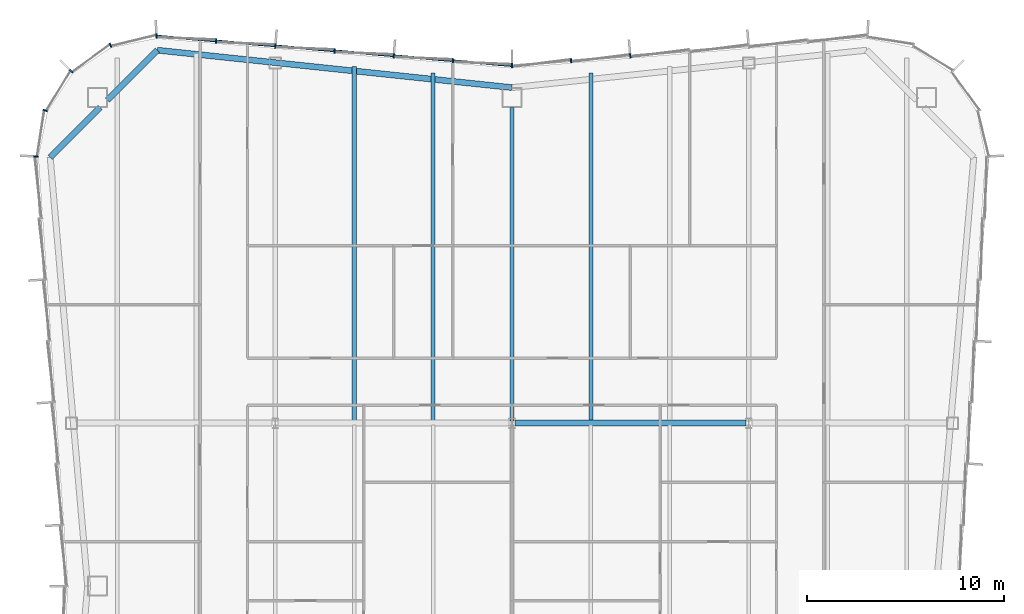
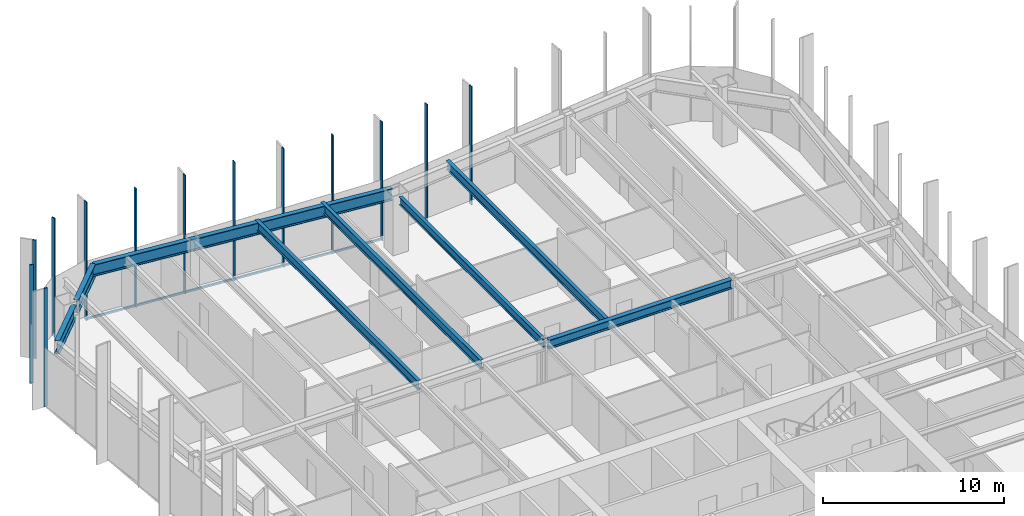
# One storey, part 7 of 15: 14 members, 8 beams, 3 elements without a shape of their own.
"""IFC4 building model written with IfcOpenShell, lengths in metres."""

import ifcopenshell
import ifcopenshell.guid

model = None  # the IFC model being written
_history = None  # IfcOwnerHistory: only IFC2X3 demands one
_inside = {}  # id of a spatial element -> (the spatial element, [elements in it])
_under = {}  # id of a project, library or spatial element -> (it, [spatial elements below it])
_declared = {}  # id of a project -> (the project, [libraries it declares])
_typed = {}  # id of a type object -> (the type object, [elements of that type])
_made_of = {}  # id of a material, layer set ... -> (it, [elements and type objects made of it])


def new_model(schema):
    """Start an empty IFC model of exactly this schema.

    Asked for "IFC4X3", IfcOpenShell would pick the latest addendum, in which some entities
    have other attributes; the version numbers below select the first issue.
    IFC2X3 requires an IfcOwnerHistory on every rooted entity: one is made here for all.
    """
    global model, _history
    if schema == "IFC4X3":
        model = ifcopenshell.file(schema_version=(4, 3, 0, 0))
    else:
        model = ifcopenshell.file(schema=schema)
    _inside.clear()
    _under.clear()
    _declared.clear()
    _typed.clear()
    _made_of.clear()
    _history = None
    if model.schema == "IFC2X3":
        org = make("IfcOrganization", Name="unknown")
        user = make(
            "IfcPersonAndOrganization",
            ThePerson=make("IfcPerson", FamilyName="unknown"),
            TheOrganization=org,
        )
        app = make(
            "IfcApplication",
            ApplicationDeveloper=org,
            Version="unknown",
            ApplicationFullName="unknown",
            ApplicationIdentifier="unknown",
        )
        _history = make(
            "IfcOwnerHistory",
            OwningUser=user,
            OwningApplication=app,
            ChangeAction="ADDED",
            CreationDate=0,
        )
    return model


def make(cls, **values):
    """One entity of the class cls with the attributes given. An attribute that is None is left unset."""
    return model.create_entity(
        cls, **{name: value for name, value in values.items() if value is not None}
    )


def rooted(cls, **values):
    """An entity with a GlobalId (a new one), such as an element, a storey or a relation."""
    return make(cls, GlobalId=ifcopenshell.guid.new(), OwnerHistory=_history, **values)


def si_unit(unit_type, name, prefix=None):
    """IfcSIUnit, for example si_unit("LENGTHUNIT", "METRE", prefix="MILLI")."""
    return make("IfcSIUnit", UnitType=unit_type, Prefix=prefix, Name=name)


def assignment(units):
    """IfcUnitAssignment: the units of a project."""
    return None if units is None else make("IfcUnitAssignment", Units=units)


def point(xyz):
    """IfcCartesianPoint."""
    return None if xyz is None else make("IfcCartesianPoint", Coordinates=xyz)


def direction(xyz):
    """IfcDirection."""
    return None if xyz is None else make("IfcDirection", DirectionRatios=xyz)


def frame(location, z_axis=None, x_axis=None):
    """IfcAxis2Placement3D, a coordinate frame: its origin and axes. An axis left out is left unset."""
    return make(
        "IfcAxis2Placement3D",
        Location=point(location),
        Axis=direction(z_axis),
        RefDirection=direction(x_axis),
    )


def frame_2d(location, x_axis=None):
    """IfcAxis2Placement2D, a coordinate frame in the plane: its origin and x axis."""
    return make(
        "IfcAxis2Placement2D", Location=point(location), RefDirection=direction(x_axis)
    )


def origin():
    """The frame at (0, 0, 0) with its axes left unset."""
    return frame((0.0, 0.0, 0.0))


def origin_2d():
    """The frame at (0, 0) in the plane with its x axis left unset."""
    return frame_2d((0.0, 0.0))


def place(relative_to, where):
    """IfcLocalPlacement: puts the frame where relative to a parent placement (None: the world)."""
    return make(
        "IfcLocalPlacement", PlacementRelTo=relative_to, RelativePlacement=where
    )


def context(
    kind, dimensions, precision=None, world=None, true_north=None, identifier=None
):
    """IfcGeometricRepresentationContext, for example the 3D "Model" context."""
    return make(
        "IfcGeometricRepresentationContext",
        ContextIdentifier=identifier,
        ContextType=kind,
        CoordinateSpaceDimension=dimensions,
        Precision=precision,
        WorldCoordinateSystem=world,
        TrueNorth=true_north,
    )


def subcontext(parent, identifier, kind, view, scale=None):
    """IfcGeometricRepresentationSubContext, for example "Body" below "Model"."""
    return make(
        "IfcGeometricRepresentationSubContext",
        ContextIdentifier=identifier,
        ContextType=kind,
        ParentContext=parent,
        TargetScale=scale,
        TargetView=view,
    )


def project(units=None, contexts=None):
    """IfcProject with its units and contexts."""
    return rooted(
        "IfcProject",
        Name="project",
        RepresentationContexts=contexts,
        UnitsInContext=assignment(units),
    )


def spatial(cls, under=None, at=None, **own):
    """A site, building, storey or space (cls), placed at a placement, below another one or the project."""
    s = rooted(cls, ObjectPlacement=at, **own)
    if under is not None:
        _under.setdefault(under.id(), (under, []))[1].append(s)
    return s


def profile(cls, at=None, kind="AREA", **sizes):
    """A parametric profile (cls). Its sizes go by their IFC names, for example OverallWidth=200.0."""
    return make(cls, ProfileType=kind, Position=at, **sizes)


def rectangle(**sizes):
    """IfcRectangleProfileDef."""
    return profile("IfcRectangleProfileDef", **sizes)


def i_section(**sizes):
    """IfcIShapeProfileDef."""
    return profile("IfcIShapeProfileDef", **sizes)


def extrude(swept, where, along, depth):
    """IfcExtrudedAreaSolid: the profile swept, set in the frame where, extruded along a direction by depth."""
    return make(
        "IfcExtrudedAreaSolid",
        SweptArea=swept,
        Position=where,
        ExtrudedDirection=direction(along),
        Depth=depth,
    )


def shape(context_of_items, identifier, shape_type, items):
    """IfcShapeRepresentation: the items that make up one representation, for example the "Body"."""
    return make(
        "IfcShapeRepresentation",
        ContextOfItems=context_of_items,
        RepresentationIdentifier=identifier,
        RepresentationType=shape_type,
        Items=items,
    )


def material(Name=None, Category=None):
    """IfcMaterial."""
    return make("IfcMaterial", Name=Name, Category=Category)


def material_profile(
    of_material, cross_section, Name=None, Category=None, Priority=None
):
    """IfcMaterialProfile: a cross section and its material."""
    return make(
        "IfcMaterialProfile",
        Name=Name,
        Material=of_material,
        Profile=cross_section,
        Priority=Priority,
        Category=Category,
    )


def profile_set(profiles, Name=None, composite=None):
    """IfcMaterialProfileSet."""
    return make(
        "IfcMaterialProfileSet",
        Name=Name,
        MaterialProfiles=profiles,
        CompositeProfile=composite,
    )


def made_of(thing, what):
    """Note that an element or type object is made of a material, layer set ...; save() writes the relation."""
    if what is not None:
        _made_of.setdefault(what.id(), (what, []))[1].append(thing)
    return thing


def type_object(cls, material=None, **own):
    """A type object (cls), such as IfcWallType, which elements share."""
    return made_of(rooted(cls, **own), material)


def element(
    cls,
    number,
    at=None,
    inside=None,
    cuts=None,
    type_object=None,
    material=None,
    context=None,
    identifier="Body",
    shape_type=None,
    held_by="IfcProductDefinitionShape",
    body=None,
    shapes=None,
    **own,
):
    """One element of the class cls, such as IfcWall. Its Tag is "e" and its number.

    at: its placement. inside: the storey or other place that contains it. cuts: it is an
    opening in that element (IfcRelVoidsElement). A single representation is given by context,
    identifier, shape_type and body (its items); several are given by shapes. held_by: the class
    of the entity that holds the representations. save() writes the other relations.
    """
    e = rooted(cls, Tag="e%d" % number, ObjectPlacement=at, **own)
    if body is not None:
        shapes = [shape(context, identifier, shape_type, body)]
    if shapes is not None:
        e.Representation = make(held_by, Representations=shapes)
    if inside is not None:
        _inside.setdefault(inside.id(), (inside, []))[1].append(e)
    if cuts is not None:
        rooted(
            "IfcRelVoidsElement", RelatingBuildingElement=cuts, RelatedOpeningElement=e
        )
    if type_object is not None:
        _typed.setdefault(type_object.id(), (type_object, []))[1].append(e)
    return made_of(e, material)


def aggregate(whole, parts):
    """IfcRelAggregates: a whole, such as a stair, and the parts it consists of."""
    return rooted("IfcRelAggregates", RelatingObject=whole, RelatedObjects=parts)


def save(model, path):
    """Write the relations noted so far, then the file.

    IfcRelAggregates (storeys below a building ...), IfcRelContainedInSpatialStructure (elements
    in a storey), IfcRelDefinesByType, IfcRelAssociatesMaterial and IfcRelDeclares: one each for
    every whole, place, type object, material and project.
    """
    for whole, parts in _under.values():
        aggregate(whole, parts)
    for where, things in _inside.values():
        rooted(
            "IfcRelContainedInSpatialStructure",
            RelatedElements=things,
            RelatingStructure=where,
        )
    for kind, things in _typed.values():
        rooted("IfcRelDefinesByType", RelatedObjects=things, RelatingType=kind)
    for what, things in _made_of.values():
        rooted("IfcRelAssociatesMaterial", RelatedObjects=things, RelatingMaterial=what)
    for by, libraries in _declared.values():
        rooted("IfcRelDeclares", RelatingContext=by, RelatedDefinitions=libraries)
    model.write(path)


model = new_model("IFC4")

# Units and contexts
model_context = context("Model", 3, precision=1e-05, world=origin(), true_north=direction((0.0, 1.0)))
body_context = subcontext(model_context, "Body", "Model", "MODEL_VIEW")
ifc_project = project(units=[si_unit("LENGTHUNIT", "METRE"), si_unit("AREAUNIT", "SQUARE_METRE"), si_unit("VOLUMEUNIT", "CUBIC_METRE"), si_unit("PLANEANGLEUNIT", "RADIAN"), si_unit("MASSUNIT", "GRAM", prefix="KILO")], contexts=[model_context])

# Site, building, storey
site_placement = place(None, origin())
site = spatial("IfcSite", under=ifc_project, at=site_placement, CompositionType="ELEMENT")
building_placement = place(site_placement, origin())
building = spatial("IfcBuilding", under=site, at=building_placement, Name="Verdant Reach Tower", CompositionType="ELEMENT")
storey_placement = place(building_placement, frame((0.0, 0.0, 274.0)))
storey = spatial("IfcBuildingStorey", under=building, at=storey_placement, Name="L63", CompositionType="ELEMENT", Elevation=274.0)

# Curtain wall, members
ifc_material_1 = material(Name="Anodised aluminium", Category="aluminium")
curtain_wall_type = type_object("IfcCurtainWallType", Name="EN-CW SYSTEM Z4", PredefinedType="NOTDEFINED", material=ifc_material_1)
curtain_wall_1_placement = place(storey_placement, origin())
curtain_wall_1 = element("IfcCurtainWall", 1, at=curtain_wall_1_placement, inside=storey, type_object=curtain_wall_type, Name="Curtain wall north, L63", PredefinedType="NOTDEFINED")
ifc_material_profile_1 = material_profile(ifc_material_1, rectangle(XDim=0.22412109375, YDim=0.068115234375, at=origin_2d()), Name="Mullion 68x224")
ifc_profile_set_1 = profile_set([ifc_material_profile_1], Name="Anodised aluminium")
member_type_1 = type_object("IfcMemberType", Name="EN-MULLION Z4", PredefinedType="MULLION", material=ifc_profile_set_1)
member_1_placement = place(storey_placement, frame((5.99072265625, 68.111572265625, -0.35009765625), z_axis=(0.0, 0.0, 1.0), x_axis=(-0.083045479859, 0.996545758244, 0.0)))
member_1 = element("IfcMember", 2, at=member_1_placement, type_object=member_type_1, Name="Mullion north face part 1 5, L63", PredefinedType="MULLION", context=body_context, shape_type="SweptSolid", body=[
    extrude(rectangle(XDim=0.22412109375, YDim=0.068115234375, at=origin_2d()), origin(), (0.0, 0.0, 1.0), 8.0),
])
member_2_placement = place(storey_placement, frame((2.99072265625, 67.861572265625, -0.35009765625), z_axis=(0.0, 0.0, 1.0), x_axis=(-0.083045479859, 0.996545758244, 0.0)))
member_2 = element("IfcMember", 3, at=member_2_placement, type_object=member_type_1, Name="Mullion north face part 1 6, L63", PredefinedType="MULLION", context=body_context, shape_type="SweptSolid", body=[
    extrude(rectangle(XDim=0.22412109375, YDim=0.068115234375, at=origin_2d()), origin(), (0.0, 0.0, 1.0), 8.0),
])
member_3_placement = place(storey_placement, frame((0.0, 67.612060546875, -0.35009765625), z_axis=(0.0, 0.0, 1.0), x_axis=(0.0, 1.0, 0.0)))
member_3 = element("IfcMember", 4, at=member_3_placement, type_object=member_type_1, Name="Mullion north face part 2 1, L63", PredefinedType="MULLION", context=body_context, shape_type="SweptSolid", body=[
    extrude(rectangle(XDim=0.22412109375, YDim=0.068115234375, at=origin_2d()), origin(), (0.0, 0.0, 1.0), 8.0),
])
member_4_placement = place(storey_placement, frame((-2.99072265625, 67.861572265625, -0.35009765625), z_axis=(0.0, 0.0, 1.0), x_axis=(0.083045479859, 0.996545758244, 0.0)))
member_4 = element("IfcMember", 5, at=member_4_placement, type_object=member_type_1, Name="Mullion north face part 2 2, L63", PredefinedType="MULLION", context=body_context, shape_type="SweptSolid", body=[
    extrude(rectangle(XDim=0.22412109375, YDim=0.068115234375, at=origin_2d()), origin(), (0.0, 0.0, 1.0), 8.0),
])
member_5_placement = place(storey_placement, frame((-5.99072265625, 68.111572265625, -0.35009765625), z_axis=(0.0, 0.0, 1.0), x_axis=(0.083045479859, 0.996545758244, 0.0)))
member_5 = element("IfcMember", 6, at=member_5_placement, type_object=member_type_1, Name="Mullion north face part 2 3, L63", PredefinedType="MULLION", context=body_context, shape_type="SweptSolid", body=[
    extrude(rectangle(XDim=0.22412109375, YDim=0.068115234375, at=origin_2d()), origin(), (0.0, 0.0, 1.0), 8.0),
])
member_6_placement = place(storey_placement, frame((-8.99072265625, 68.361572265625, -0.35009765625), z_axis=(0.0, 0.0, 1.0), x_axis=(0.083045479859, 0.996545758244, 0.0)))
member_6 = element("IfcMember", 7, at=member_6_placement, type_object=member_type_1, Name="Mullion north face part 2 4, L63", PredefinedType="MULLION", context=body_context, shape_type="SweptSolid", body=[
    extrude(rectangle(XDim=0.22412109375, YDim=0.068115234375, at=origin_2d()), origin(), (0.0, 0.0, 1.0), 8.0),
])
member_7_placement = place(storey_placement, frame((-11.99072265625, 68.611572265625, -0.35009765625), z_axis=(0.0, 0.0, 1.0), x_axis=(0.083045479859, 0.996545758244, 0.0)))
member_7 = element("IfcMember", 8, at=member_7_placement, type_object=member_type_1, Name="Mullion north face part 2 5, L63", PredefinedType="MULLION", context=body_context, shape_type="SweptSolid", body=[
    extrude(rectangle(XDim=0.22412109375, YDim=0.068115234375, at=origin_2d()), origin(), (0.0, 0.0, 1.0), 8.0),
])
member_8_placement = place(storey_placement, frame((-14.99072265625, 68.861572265625, -0.35009765625), z_axis=(0.0, 0.0, 1.0), x_axis=(0.083045479859, 0.996545758244, 0.0)))
member_8 = element("IfcMember", 9, at=member_8_placement, type_object=member_type_1, Name="Mullion north face part 2 6, L63", PredefinedType="MULLION", context=body_context, shape_type="SweptSolid", body=[
    extrude(rectangle(XDim=0.22412109375, YDim=0.068115234375, at=origin_2d()), origin(), (0.0, 0.0, 1.0), 8.0),
])

curtain_wall_2_placement = place(storey_placement, origin())
curtain_wall_2 = element("IfcCurtainWall", 10, at=curtain_wall_2_placement, inside=storey, type_object=curtain_wall_type, Name="Curtain wall north-west corner, L63", PredefinedType="NOTDEFINED")
member_9_placement = place(storey_placement, frame((-18.00634765625, 69.11181640625, -0.35009765625), z_axis=(0.0, 0.0, 1.0), x_axis=(-0.056569187765, 0.998398681387, 0.0)))
member_9 = element("IfcMember", 11, at=member_9_placement, type_object=member_type_1, Name="Mullion north-west corner 1, L63", PredefinedType="MULLION", context=body_context, shape_type="SweptSolid", body=[
    extrude(rectangle(XDim=0.22412109375, YDim=0.068115234375, at=origin_2d()), origin(), (0.0, 0.0, 1.0), 8.0),
])
member_10_placement = place(storey_placement, frame((-20.3388671875, 68.646728515625, -0.35009765625), z_axis=(0.0, 0.0, 1.0), x_axis=(-0.382693853776, 0.923875215753, 0.0)))
member_10 = element("IfcMember", 12, at=member_10_placement, type_object=member_type_1, Name="Mullion north-west corner 2, L63", PredefinedType="MULLION", context=body_context, shape_type="SweptSolid", body=[
    extrude(rectangle(XDim=0.22412109375, YDim=0.068115234375, at=origin_2d()), origin(), (0.0, 0.0, 1.0), 8.0),
])
member_11_placement = place(storey_placement, frame((-22.32177734375, 67.32177734375, -0.35009765625), z_axis=(0.0, 0.0, 1.0), x_axis=(-0.707106781187, 0.707106781187, 0.0)))
member_11 = element("IfcMember", 13, at=member_11_placement, type_object=member_type_1, Name="Mullion north-west corner 3, L63", PredefinedType="MULLION", context=body_context, shape_type="SweptSolid", body=[
    extrude(rectangle(XDim=0.22412109375, YDim=0.068115234375, at=origin_2d()), origin(), (0.0, 0.0, 1.0), 8.0),
])
member_12_placement = place(storey_placement, frame((-23.646728515625, 65.3388671875, -0.35009765625), z_axis=(0.0, 0.0, 1.0), x_axis=(-0.923875215753, 0.382693853776, 0.0)))
member_12 = element("IfcMember", 14, at=member_12_placement, type_object=member_type_1, Name="Mullion north-west corner 4, L63", PredefinedType="MULLION", context=body_context, shape_type="SweptSolid", body=[
    extrude(rectangle(XDim=0.22412109375, YDim=0.068115234375, at=origin_2d()), origin(), (0.0, 0.0, 1.0), 8.0),
])
aggregate(curtain_wall_2, [member_9, member_10, member_11, member_12])

# Curtain wall, member
curtain_wall_3_placement = place(storey_placement, origin())
curtain_wall_3 = element("IfcCurtainWall", 15, at=curtain_wall_3_placement, inside=storey, type_object=curtain_wall_type, Name="Curtain wall west, L63", PredefinedType="NOTDEFINED")
member_13_placement = place(storey_placement, frame((-24.11181640625, 63.007080078125, -0.35009765625), z_axis=(0.0, 0.0, 1.0), x_axis=(-0.997969180898, 0.063698618332, 0.0)))
member_13 = element("IfcMember", 16, at=member_13_placement, type_object=member_type_1, Name="Mullion west face part 1 1, L63", PredefinedType="MULLION", context=body_context, shape_type="SweptSolid", body=[
    extrude(rectangle(XDim=0.22412109375, YDim=0.068115234375, at=origin_2d()), origin(), (0.0, 0.0, 1.0), 8.0),
])
aggregate(curtain_wall_3, [member_13])

# Member
ifc_material_profile_2 = material_profile(ifc_material_1, rectangle(XDim=0.10009765625, YDim=0.1279296875, at=origin_2d()), Name="Transom 128x100")
ifc_profile_set_2 = profile_set([ifc_material_profile_2], Name="Anodised aluminium")
member_type_2 = type_object("IfcMemberType", Name="EN-TRANSOM Z4", PredefinedType="USERDEFINED", material=ifc_profile_set_2)
member_14_placement = place(storey_placement, frame((-0.033935546875, 67.61474609375, -0.285888671875), z_axis=(-0.996549124771, 0.083005071637, 0.0), x_axis=(-0.083005071637, -0.996549124771, 0.0)))
member_14 = element("IfcMember", 17, at=member_14_placement, type_object=member_type_2, Name="Transom north face part 2 1.1, L63", ObjectType="TRANSOM", PredefinedType="USERDEFINED", context=body_context, shape_type="SweptSolid", body=[
    extrude(rectangle(XDim=0.10009765625, YDim=0.1279296875, at=origin_2d()), origin(), (0.0, 0.0, 1.0), 18.00048828125),
])

aggregate(curtain_wall_1, [member_1, member_2, member_3, member_4, member_5, member_6, member_7, member_8, member_14])

# Beams
ifc_material_2 = material(Name="Steel S355", Category="steel")
ifc_material_profile_3 = material_profile(ifc_material_2, i_section(OverallWidth=0.300048828125, OverallDepth=0.60009765625, WebThickness=0.015380859375, FlangeThickness=0.030029296875, FilletRadius=0.027099609375, at=origin_2d()), Name="HEB 600")
ifc_profile_set_3 = profile_set([ifc_material_profile_3], Name="Steel S355")
beam_type_1 = type_object("IfcBeamType", Name="ST-BEAM-HEB600", PredefinedType="BEAM", material=ifc_profile_set_3)
beam_1_placement = place(storey_placement, frame((0.153076171875, 49.5, 3.570068359375), z_axis=(1.0, 0.0, 0.0), x_axis=(0.0, 1.0, 0.0)))
element("IfcBeam", 18, at=beam_1_placement, inside=storey, type_object=beam_type_1, Name="Row girder, L63", PredefinedType="BEAM", context=body_context, shape_type="SweptSolid", body=[
    extrude(i_section(OverallWidth=0.300048828125, OverallDepth=0.60009765625, WebThickness=0.015380859375, FlangeThickness=0.030029296875, FilletRadius=0.027099609375, at=origin_2d()), origin(), (0.0, 0.0, 1.0), 11.69384765625),
])
ifc_material_profile_4 = material_profile(ifc_material_2, i_section(OverallWidth=0.2099609375, OverallDepth=0.550048828125, WebThickness=0.010986328125, FlangeThickness=0.01708984375, FilletRadius=0.02392578125, at=origin_2d()), Name="IPE 550")
ifc_profile_set_4 = profile_set([ifc_material_profile_4], Name="Steel S355")
beam_type_2 = type_object("IfcBeamType", Name="ST-JOIST-IPE550", PredefinedType="JOIST", material=ifc_profile_set_4)
beam_2_placement = place(storey_placement, frame((0.0, 49.60009765625, 3.594970703125), z_axis=(0.0, 1.0, 0.0), x_axis=(-1.0, 0.0, 0.0)))
element("IfcBeam", 19, at=beam_2_placement, inside=storey, type_object=beam_type_2, Name="Floor joist, L63", PredefinedType="JOIST", context=body_context, shape_type="SweptSolid", body=[
    extrude(i_section(OverallWidth=0.2099609375, OverallDepth=0.550048828125, WebThickness=0.010986328125, FlangeThickness=0.01708984375, FilletRadius=0.02392578125, at=origin_2d()), origin(), (0.0, 0.0, 1.0), 15.89990234375),
])
ifc_material_profile_5 = material_profile(ifc_material_2, i_section(OverallWidth=0.219970703125, OverallDepth=0.60009765625, WebThickness=0.011962890625, FlangeThickness=0.01904296875, FilletRadius=0.02392578125, at=origin_2d()), Name="IPE 600")
ifc_profile_set_5 = profile_set([ifc_material_profile_5], Name="Steel S355")
beam_type_3 = type_object("IfcBeamType", Name="ST-JOIST-IPE600", PredefinedType="JOIST", material=ifc_profile_set_5)
beam_3_placement = place(storey_placement, frame((-8.0, 49.60009765625, 3.570068359375), z_axis=(0.0, 1.0, 0.0), x_axis=(-1.0, 0.0, 0.0)))
element("IfcBeam", 20, at=beam_3_placement, inside=storey, type_object=beam_type_3, Name="Floor joist, L63", PredefinedType="JOIST", context=body_context, shape_type="SweptSolid", body=[
    extrude(i_section(OverallWidth=0.219970703125, OverallDepth=0.60009765625, WebThickness=0.011962890625, FlangeThickness=0.01904296875, FilletRadius=0.02392578125, at=origin_2d()), origin(), (0.0, 0.0, 1.0), 17.964599609375),
])
for number, where, z_axis, x_axis, name in (
    (21, (-4.0, 49.60009765625, 3.570068359375), (0.0, 1.0, 0.0), (-1.0, 0.0, 0.0), "Floor joist, L63"),
    (22, (4.0, 49.60009765625, 3.570068359375), (0.0, 1.0, 0.0), (-1.0, 0.0, 0.0), "Floor joist, L63"),
):
    element("IfcBeam", number, at=place(storey_placement, frame(where, z_axis=z_axis, x_axis=x_axis)), inside=storey, type_object=beam_type_3, Name=name, PredefinedType="JOIST", context=body_context, shape_type="SweptSolid", body=[
        extrude(i_section(OverallWidth=0.219970703125, OverallDepth=0.60009765625, WebThickness=0.011962890625, FlangeThickness=0.01904296875, FilletRadius=0.02392578125, at=origin_2d()), origin(), (0.0, 0.0, 1.0), 17.631103515625),
    ])
ifc_material_profile_6 = material_profile(ifc_material_2, i_section(OverallWidth=0.300048828125, OverallDepth=0.800048828125, WebThickness=0.017578125, FlangeThickness=0.032958984375, FilletRadius=0.030029296875, at=origin_2d()), Name="HEB 800")
ifc_profile_set_6 = profile_set([ifc_material_profile_6], Name="Steel S355")
beam_type_4 = type_object("IfcBeamType", Name="ST-SPANDREL-HEB800", PredefinedType="SPANDREL", material=ifc_profile_set_6)
beam_4_placement = place(storey_placement, frame((-17.9658203125, 68.39501953125, 3.469970703125), z_axis=(0.994483067002, -0.104897232783, 0.0), x_axis=(0.104897232783, 0.994483067002, 0.0)))
element("IfcBeam", 23, at=beam_4_placement, inside=storey, type_object=beam_type_4, Name="Edge beam, L63", PredefinedType="SPANDREL", context=body_context, shape_type="SweptSolid", body=[
    extrude(i_section(OverallWidth=0.300048828125, OverallDepth=0.800048828125, WebThickness=0.017578125, FlangeThickness=0.032958984375, FilletRadius=0.030029296875, at=origin_2d()), origin(), (0.0, 0.0, 1.0), 18.0654296875),
])
ifc_material_profile_7 = material_profile(ifc_material_2, i_section(OverallWidth=0.302001953125, OverallDepth=0.909912109375, WebThickness=0.02099609375, FlangeThickness=0.0400390625, FilletRadius=0.030029296875, at=origin_2d()), Name="HEM 900")
ifc_profile_set_7 = profile_set([ifc_material_profile_7], Name="Steel S355")
beam_type_5 = type_object("IfcBeamType", Name="ST-SPANDREL-HEM900", PredefinedType="SPANDREL", material=ifc_profile_set_7)
beam_5_placement = place(storey_placement, frame((-23.39599609375, 62.96142578125, 3.4150390625), z_axis=(0.706902680526, 0.707310822952, 0.0), x_axis=(-0.707310822952, 0.706902680526, 0.0)))
element("IfcBeam", 24, at=beam_5_placement, inside=storey, type_object=beam_type_5, Name="Edge beam, L63", PredefinedType="SPANDREL", context=body_context, shape_type="SweptSolid", body=[
    extrude(i_section(OverallWidth=0.302001953125, OverallDepth=0.909912109375, WebThickness=0.02099609375, FlangeThickness=0.0400390625, FilletRadius=0.030029296875, at=origin_2d()), origin(), (0.0, 0.0, 1.0), 3.589111328125),
])
beam_6_placement = place(storey_placement, frame((-20.5, 65.859130859375, 3.4150390625), z_axis=(0.706868394255, 0.707345087777, 0.0), x_axis=(-0.707345087777, 0.706868394255, 0.0)))
element("IfcBeam", 25, at=beam_6_placement, inside=storey, type_object=beam_type_5, Name="Edge beam, L63", PredefinedType="SPANDREL", context=body_context, shape_type="SweptSolid", body=[
    extrude(i_section(OverallWidth=0.302001953125, OverallDepth=0.909912109375, WebThickness=0.02099609375, FlangeThickness=0.0400390625, FilletRadius=0.030029296875, at=origin_2d()), origin(), (0.0, 0.0, 1.0), 3.5849609375),
])

save(model, "model.ifc")
